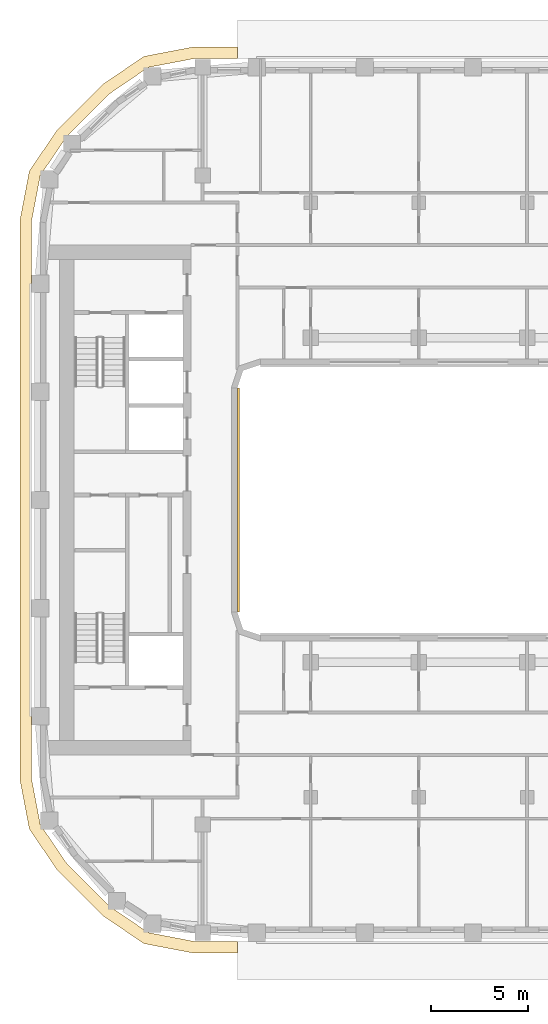
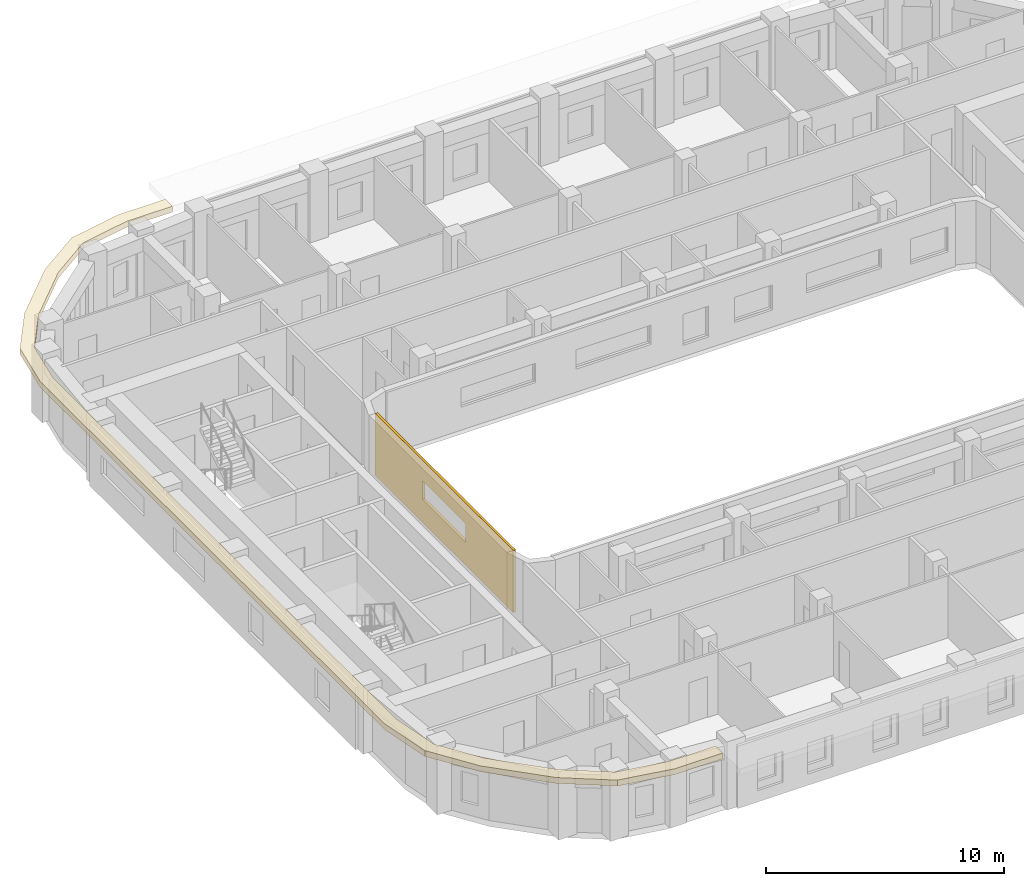
# One storey, part 13 of 20: 2 coverings.
"""IFC4 building model written with IfcOpenShell, lengths in metres."""

from ifc_helpers import new_model, si_unit, direction, frame, origin, place, context, subcontext, project, spatial, polyline, outline, extrude, material, layer, layer_set, type_object, element, save


model = new_model("IFC4")

# Units and contexts
model_context = context("Model", 3, precision=1e-05, world=origin(), true_north=direction((0.0, 1.0)))
body_context = subcontext(model_context, "Body", "Model", "MODEL_VIEW")
ifc_project = project(units=[si_unit("LENGTHUNIT", "METRE"), si_unit("AREAUNIT", "SQUARE_METRE"), si_unit("VOLUMEUNIT", "CUBIC_METRE"), si_unit("PLANEANGLEUNIT", "RADIAN"), si_unit("MASSUNIT", "GRAM", prefix="KILO")], contexts=[model_context])

# Site, building, storey
site_placement = place(None, origin())
site = spatial("IfcSite", under=ifc_project, at=site_placement, CompositionType="ELEMENT")
building_placement = place(site_placement, origin())
building = spatial("IfcBuilding", under=site, at=building_placement, Name="Kiln Ring Residences", CompositionType="ELEMENT")
storey_placement = place(building_placement, frame((0.0, 0.0, 206.39990234375)))
storey = spatial("IfcBuildingStorey", under=building, at=storey_placement, Name="L53", CompositionType="ELEMENT", Elevation=206.39990234375)

# Coverings
ifc_material_1 = material(Name="Brick masonry, dark clay brick", Category="masonry")
ifc_layer_1 = layer(ifc_material_1, 0.1201171875)
ifc_layer_set_1 = layer_set([ifc_layer_1], Name="RAINSCREEN PANEL 120")
covering_type_1 = type_object("IfcCoveringType", Name="RAINSCREEN PANEL 120", PredefinedType="CLADDING", material=ifc_layer_set_1)
covering_1_placement = place(storey_placement, frame((-14.93994140625, -5.800048828125, 0.0), z_axis=(0.0, 0.0, 1.0), x_axis=(0.0, 1.0, 0.0)))
element("IfcCovering", 1, at=covering_1_placement, inside=storey, type_object=covering_type_1, Name="RAINSCREEN L53", PredefinedType="CLADDING", context=body_context, shape_type="SweptSolid", body=[
    extrude(outline(polyline([(0.0, 0.0), (11.60009765625, 0.0), (11.60009765625, 3.2001953125), (0.0, 3.2001953125), (0.0, 0.0)]), holes=[polyline([(4.0, 2.150146484375), (4.0, 1.2001953125), (7.60009765625, 1.2001953125), (7.60009765625, 2.150146484375), (4.0, 2.150146484375)])]), frame((0.0, 0.06005859375, 0.0), z_axis=(0.0, -1.0, 0.0), x_axis=(1.0, 0.0, 0.0)), (0.0, 0.0, 1.0), 0.1201171875),
])
ifc_material_2 = material(Name="Black powder-coated steel", Category="steel")
ifc_layer_2 = layer(ifc_material_2, 0.300048828125)
ifc_layer_set_2 = layer_set([ifc_layer_2], Name="SUNSHADE FIN 600")
covering_type_2 = type_object("IfcCoveringType", Name="SUNSHADE FIN 600", PredefinedType="CLADDING", material=ifc_layer_set_2)
covering_2_placement = place(storey_placement, frame((0.0, 0.0, 3.2001953125)))
element("IfcCovering", 2, at=covering_2_placement, inside=storey, type_object=covering_type_2, Name="SUNSHADE FIN L53", PredefinedType="CLADDING", context=body_context, shape_type="SweptSolid", body=[
    extrude(outline(polyline([(-26.25, -14.499267578125), (-25.766357421875, -17.03466796875), (-24.315673828125, -19.169189453125), (-21.96923828125, -21.515625), (-19.834716796875, -22.96630859375), (-17.29931640625, -23.449951171875), (-15.0, -23.449951171875), (-15.0, -22.85009765625), (-17.242431640625, -22.85009765625), (-19.60009765625, -22.400390625), (-21.585205078125, -21.05126953125), (-23.851318359375, -18.78515625), (-25.2001953125, -16.800048828125), (-25.64990234375, -14.4423828125), (-25.64990234375, 14.4423828125), (-25.2001953125, 16.800048828125), (-23.851318359375, 18.78515625), (-21.585205078125, 21.05126953125), (-19.60009765625, 22.400390625), (-17.242431640625, 22.85009765625), (-15.0, 22.85009765625), (-15.0, 23.449951171875), (-17.29931640625, 23.449951171875), (-19.834716796875, 22.96630859375), (-21.96923828125, 21.515625), (-24.315673828125, 19.169189453125), (-25.766357421875, 17.03466796875), (-26.25, 14.499267578125), (-26.25, -14.499267578125)])), origin(), (0.0, 0.0, 1.0), 0.2998046875),
])

save(model, "model.ifc")
